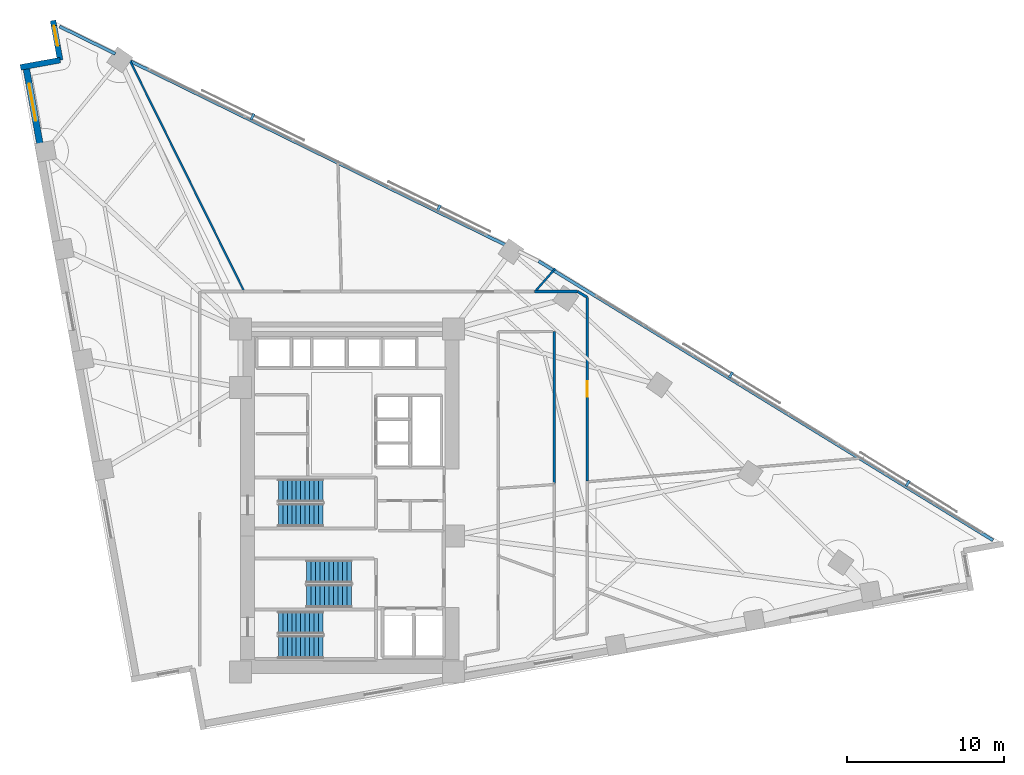
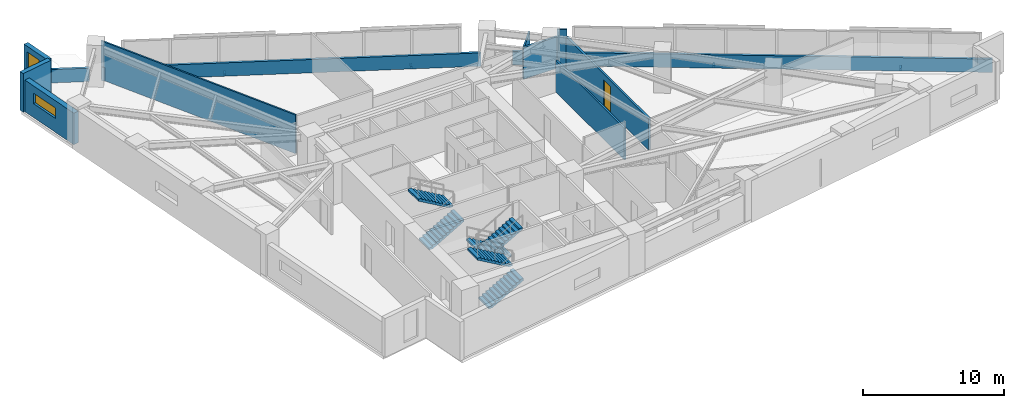
# One storey, part 16 of 18: 12 walls, 6 stair flights, 4 discrete accessories, 2 windows, 1 door, 3 openings, 3 elements without a shape of their own.
"""IFC4 building model written with IfcOpenShell, lengths in metres."""

from ifc_helpers import new_model, si_unit, direction, frame, frame_2d, origin, origin_2d, place, context, subcontext, project, spatial, polyline, rectangle, outline, extrude, material, layer, layer_set, type_object, element, fill, aggregate, save


model = new_model("IFC4")

# Units and contexts
model_context = context("Model", 3, precision=1e-05, world=origin(), true_north=direction((0.0, 1.0)))
body_context = subcontext(model_context, "Body", "Model", "MODEL_VIEW")
ifc_project = project(units=[si_unit("LENGTHUNIT", "METRE"), si_unit("AREAUNIT", "SQUARE_METRE"), si_unit("VOLUMEUNIT", "CUBIC_METRE"), si_unit("PLANEANGLEUNIT", "RADIAN"), si_unit("MASSUNIT", "GRAM", prefix="KILO")], contexts=[model_context])

# Site, building, storey
site_placement = place(None, origin())
site = spatial("IfcSite", under=ifc_project, at=site_placement, CompositionType="ELEMENT")
building_placement = place(site_placement, origin())
building = spatial("IfcBuilding", under=site, at=building_placement, Name="Narakoshi Arena Tower", CompositionType="ELEMENT")
storey_placement = place(building_placement, frame((0.0, 0.0, 120.89990234375)))
storey = spatial("IfcBuildingStorey", under=building, at=storey_placement, Name="L32", CompositionType="ELEMENT", Elevation=120.89990234375)

# Wall, opening, door
ifc_material_1 = material(Name="Gypsum plasterboard fire-rated partition")
ifc_layer_1 = layer(ifc_material_1, 0.1650390625)
ifc_layer_set_1 = layer_set([ifc_layer_1], Name="Gypsum plasterboard fire-rated partition")
wall_type_1 = type_object("IfcWallType", Name="WL-CORR-165", PredefinedType="PARTITIONING", material=ifc_layer_set_1)
wall_1_placement = place(storey_placement, frame((94.050048828125, 46.852294921875, 0.0), z_axis=(0.0, 0.0, 1.0), x_axis=(0.0, 1.0, 0.0)))
wall_1 = element("IfcWall", 1, at=wall_1_placement, inside=storey, type_object=wall_type_1, Name="L32 Corridor Partition 05-1", PredefinedType="PARTITIONING", context=body_context, shape_type="SweptSolid", body=[
    extrude(rectangle(XDim=11.67431640625, YDim=0.1650390625, at=frame_2d((5.837158203125, 0.0))), origin(), (0.0, 0.0, 1.0), 2.72509765625),
])
opening_1_placement = place(wall_1_placement, frame((5.3369140625, 0.0, 0.0)))
opening_1 = element("IfcOpeningElement", 2, at=opening_1_placement, cuts=wall_1, Name="Opening D-06", PredefinedType="OPENING", context=body_context, shape_type="SweptSolid", body=[
    extrude(rectangle(XDim=1.0, YDim=2.199951171875, at=frame_2d((0.5, 1.10009765625))), frame((0.0, 0.092529296875, 0.0), z_axis=(0.0, -1.0, 0.0), x_axis=(1.0, 0.0, 0.0)), (0.0, 0.0, 1.0), 0.18505859375),
])
ifc_material_2 = material(Name="Stained oak solid-core timber", Category="wood")
door_type = type_object("IfcDoorType", Name="DR-OFF-1000", OperationType="NOTDEFINED", PredefinedType="DOOR", material=ifc_material_2)
door_placement = place(opening_1_placement, frame((1.0, 0.0, 0.0), z_axis=(0.0, 0.0, 1.0), x_axis=(-1.0, 0.0, 0.0)))
door = element("IfcDoor", 3, at=door_placement, inside=storey, type_object=door_type, Name="DR-L32-019", OperationType="SINGLE_SWING_RIGHT", OverallHeight=2.199951171875, OverallWidth=1.0, PredefinedType="DOOR", context=body_context, shape_type="SweptSolid", body=[
    extrude(rectangle(XDim=1.0, YDim=2.199951171875, at=frame_2d((0.5, 1.10009765625))), frame((0.0, 0.02490234375, 0.0), z_axis=(0.0, -1.0, 0.0), x_axis=(1.0, 0.0, 0.0)), (0.0, 0.0, 1.0), 0.050048828125),
])
fill(opening_1, door)

# Walls
wall_2_placement = place(storey_placement, frame((93.44189453125, 58.89990234375, 0.0), z_axis=(0.0, 0.0, 1.0), x_axis=(-1.0, 0.0, 0.0)))
element("IfcWall", 4, at=wall_2_placement, inside=storey, type_object=wall_type_1, Name="L32 Corridor Partition 05-2", PredefinedType="PARTITIONING", context=body_context, shape_type="SweptSolid", body=[
    extrude(rectangle(XDim=2.755126953125, YDim=0.1650390625, at=frame_2d((1.37744140625, 0.0))), origin(), (0.0, 0.0, 1.0), 2.72509765625),
])
wall_3_placement = place(storey_placement, frame((94.050048828125, 58.526611328125, 0.0), z_axis=(0.0, 0.0, 1.0), x_axis=(-0.852256862618, 0.523123541928, 0.0)))
element("IfcWall", 5, at=wall_3_placement, inside=storey, type_object=wall_type_1, Name="L32 Corridor Partition 05-3", PredefinedType="PARTITIONING", context=body_context, shape_type="SweptSolid", body=[
    extrude(rectangle(XDim=0.713623046875, YDim=0.1650390625, at=frame_2d((0.35693359375, 0.0))), origin(), (0.0, 0.0, 1.0), 3.340087890625),
])
ifc_material_3 = material(Name="Precast concrete C45/55", Category="concrete")
ifc_layer_2 = layer(ifc_material_3, 0.25)
ifc_layer_set_2 = layer_set([ifc_layer_2], Name="Precast concrete C45/55")
wall_type_2 = type_object("IfcWallType", Name="WL-PARA-250", PredefinedType="PARAPET", material=ifc_layer_set_2)
wall_4_placement = place(storey_placement, frame((119.86474609375, 43.0703125, 0.0), z_axis=(0.0, 0.0, 1.0), x_axis=(-0.852110824326, 0.52336138859, 0.0)))
element("IfcWall", 6, at=wall_4_placement, inside=storey, type_object=wall_type_2, Name="L32 Hypotenuse Sill Upstand Parapet 1-01", PredefinedType="PARAPET", context=body_context, shape_type="SweptSolid", body=[
    extrude(rectangle(XDim=33.931640625, YDim=0.199951171875, at=frame_2d((16.9658203125, 0.0))), origin(), (0.0, 0.0, 1.0), 1.150146484375),
])
wall_5_placement = place(storey_placement, frame((88.9208984375, 61.82275390625, 0.0), z_axis=(0.0, 0.0, 1.0), x_axis=(-0.897993533426, 0.440008652103, 0.0)))
element("IfcWall", 7, at=wall_5_placement, inside=storey, type_object=wall_type_2, Name="L32 Hypotenuse Sill Upstand Parapet 2-02", PredefinedType="PARAPET", context=body_context, shape_type="SweptSolid", body=[
    extrude(rectangle(XDim=26.86376953125, YDim=0.199951171875, at=frame_2d((13.431884765625, 0.0))), origin(), (0.0, 0.0, 1.0), 1.150146484375),
])
wall_6_placement = place(storey_placement, frame((64.031982421875, 74.01806640625, 0.0), z_axis=(0.0, 0.0, 1.0), x_axis=(-0.89799103332, 0.440013754417, 0.0)))
element("IfcWall", 8, at=wall_6_placement, inside=storey, type_object=wall_type_2, Name="L32 Hypotenuse Sill Upstand Parapet 2-03", PredefinedType="PARAPET", context=body_context, shape_type="SweptSolid", body=[
    extrude(rectangle(XDim=3.954833984375, YDim=0.199951171875, at=frame_2d((1.9775390625, 0.0))), origin(), (0.0, 0.0, 1.0), 1.150146484375),
])
ifc_layer_3 = layer(ifc_material_1, 0.125)
ifc_layer_set_3 = layer_set([ifc_layer_3], Name="Gypsum plasterboard fire-rated partition")
wall_type_3 = type_object("IfcWallType", Name="WL-PART-125", PredefinedType="PARTITIONING", material=ifc_layer_set_3)
wall_7_placement = place(storey_placement, frame((90.818115234375, 58.994384765625, 0.0), z_axis=(0.0, 0.0, 1.0), x_axis=(0.6599952554, 0.751269767027, 0.0)))
element("IfcWall", 9, at=wall_7_placement, inside=storey, type_object=wall_type_3, Name="L32 Inter-Room Partition 05-07", PredefinedType="PARTITIONING", context=body_context, shape_type="SweptSolid", body=[
    extrude(rectangle(XDim=1.81884765625, YDim=0.125, at=frame_2d((0.909423828125, 0.0))), origin(), (0.0, 0.0, 1.0), 2.72509765625),
])
wall_8_placement = place(storey_placement, frame((72.19677734375, 58.966796875, 0.0), z_axis=(0.0, 0.0, 1.0), x_axis=(-0.443596581614, 0.896226574467, 0.0)))
element("IfcWall", 10, at=wall_8_placement, inside=storey, type_object=wall_type_3, Name="L32 Inter-Room Partition 08-09", PredefinedType="PARTITIONING", context=body_context, shape_type="SweptSolid", body=[
    extrude(rectangle(XDim=16.5400390625, YDim=0.125, at=frame_2d((8.27001953125, 0.0))), origin(), (0.0, 0.0, 1.0), 3.340087890625),
])

# Wall, opening, window
ifc_layer_4 = layer(ifc_material_3, 0.419921875)
ifc_layer_set_4 = layer_set([ifc_layer_4], Name="Precast concrete C45/55")
wall_type_4 = type_object("IfcWallType", Name="WL-POD-420", PredefinedType="SOLIDWALL", material=ifc_layer_set_4)
wall_9_placement = place(storey_placement, frame((58.341796875, 73.2197265625, 0.0), z_axis=(0.0, 0.0, 1.0), x_axis=(0.177981837245, -0.984033772597, 0.0)))
wall_9 = element("IfcWall", 11, at=wall_9_placement, inside=storey, type_object=wall_type_4, Name="L32 Architectural Concrete Facade Wall LEGB-1", PredefinedType="SOLIDWALL", context=body_context, shape_type="SweptSolid", body=[
    extrude(rectangle(XDim=5.540283203125, YDim=0.419921875, at=frame_2d((2.77001953125, 0.0))), origin(), (0.0, 0.0, 1.0), 2.72509765625),
])
opening_2_placement = place(wall_9_placement, frame((1.11767578125, 0.0, 1.199951171875)))
opening_2 = element("IfcOpeningElement", 12, at=opening_2_placement, cuts=wall_9, Name="Opening WN-01", PredefinedType="OPENING", context=body_context, shape_type="SweptSolid", body=[
    extrude(rectangle(XDim=2.39990234375, YDim=0.89990234375, at=frame_2d((1.199951171875, 0.449951171875))), frame((0.0, 0.219970703125, 0.0), z_axis=(0.0, -1.0, 0.0), x_axis=(1.0, 0.0, 0.0)), (0.0, 0.0, 1.0), 0.43994140625),
])
ifc_material_4 = material(Name="Bronze-tinted low-E laminated glass", Category="glass")
window_type_1 = type_object("IfcWindowType", Name="WIN-SLT-24x09", PartitioningType="SINGLE_PANEL", PredefinedType="WINDOW", material=ifc_material_4)
window_1_placement = place(opening_2_placement, origin())
window_1 = element("IfcWindow", 13, at=window_1_placement, inside=storey, type_object=window_type_1, Name="L32 LEGB1 Horizontal Slot Window 1", OverallHeight=0.89990234375, OverallWidth=2.39990234375, PartitioningType="SINGLE_PANEL", PredefinedType="WINDOW", context=body_context, shape_type="SweptSolid", body=[
    extrude(rectangle(XDim=2.39990234375, YDim=0.89990234375, at=frame_2d((1.199951171875, 0.449951171875))), frame((0.0, 0.030029296875, 0.0), z_axis=(0.0, -1.0, 0.0), x_axis=(1.0, 0.0, 0.0)), (0.0, 0.0, 1.0), 0.06005859375),
])
fill(opening_2, window_1)

wall_10_placement = place(storey_placement, frame((60.066162109375, 76.139404296875, 0.0), z_axis=(0.0, 0.0, 1.0), x_axis=(0.177897493713, -0.984049024048, 0.0)))
wall_10 = element("IfcWall", 14, at=wall_10_placement, inside=storey, type_object=wall_type_4, Name="L32 Re-Entrant Corner Notch Wall NTN-1", PredefinedType="SOLIDWALL", context=body_context, shape_type="SweptSolid", body=[
    extrude(rectangle(XDim=2.56640625, YDim=0.360107421875, at=frame_2d((1.283203125, 0.0))), origin(), (0.0, 0.0, 1.0), 3.340087890625),
])
opening_3_placement = place(wall_10_placement, frame((0.340087890625, 0.0, 0.449951171875)))
opening_3 = element("IfcOpeningElement", 15, at=opening_3_placement, cuts=wall_10, Name="Opening WN-06", PredefinedType="OPENING", context=body_context, shape_type="SweptSolid", body=[
    extrude(rectangle(XDim=1.300048828125, YDim=2.39990234375, at=frame_2d((0.64990234375, 1.199951171875))), frame((0.0, 0.18994140625, 0.0), z_axis=(0.0, -1.0, 0.0), x_axis=(1.0, 0.0, 0.0)), (0.0, 0.0, 1.0), 0.380126953125),
])
window_type_2 = type_object("IfcWindowType", Name="WIN-NTC-16x24", PartitioningType="SINGLE_PANEL", PredefinedType="WINDOW", material=ifc_material_4)
window_2_placement = place(opening_3_placement, origin())
window_2 = element("IfcWindow", 16, at=window_2_placement, inside=storey, type_object=window_type_2, Name="L32 Corner Notch Window NTN", OverallHeight=2.39990234375, OverallWidth=1.300048828125, PartitioningType="SINGLE_PANEL", PredefinedType="WINDOW", context=body_context, shape_type="SweptSolid", body=[
    extrude(rectangle(XDim=1.300048828125, YDim=2.39990234375, at=frame_2d((0.64990234375, 1.199951171875))), frame((0.0, 0.030029296875, 0.0), z_axis=(0.0, -1.0, 0.0), x_axis=(1.0, 0.0, 0.0)), (0.0, 0.0, 1.0), 0.06005859375),
])
fill(opening_3, window_2)

# Walls
wall_11_placement = place(storey_placement, frame((60.522705078125, 73.614013671875, 0.0), z_axis=(0.0, 0.0, 1.0), x_axis=(-0.984046012923, -0.177914149102, 0.0)))
element("IfcWall", 17, at=wall_11_placement, inside=storey, type_object=wall_type_4, Name="L32 Re-Entrant Corner Notch Wall NTN-2", PredefinedType="SOLIDWALL", context=body_context, shape_type="SweptSolid", body=[
    extrude(rectangle(XDim=2.566162109375, YDim=0.360107421875, at=frame_2d((1.283203125, 0.0))), origin(), (0.0, 0.0, 1.0), 3.340087890625),
])
ifc_material_5 = material(Name="Moisture-resistant cement-board partition")
ifc_layer_5 = layer(ifc_material_5, 0.14501953125)
ifc_layer_set_5 = layer_set([ifc_layer_5], Name="Moisture-resistant cement-board partition")
wall_type_5 = type_object("IfcWallType", Name="WL-WET-145", PredefinedType="PARTITIONING", material=ifc_layer_set_5)
wall_12_placement = place(storey_placement, frame((91.949951171875, 56.35009765625, 0.0), z_axis=(0.0, 0.0, 1.0), x_axis=(0.0, -1.0, 0.0)))
element("IfcWall", 18, at=wall_12_placement, inside=storey, type_object=wall_type_5, Name="L32 Corridor Partition 06-2", PredefinedType="PARTITIONING", context=body_context, shape_type="SweptSolid", body=[
    extrude(rectangle(XDim=9.66845703125, YDim=0.14501953125, at=frame_2d((4.834228515625, 0.0))), origin(), (0.0, 0.0, 1.0), 2.72509765625),
])

# Stair, stair flights
ifc_material_6 = material(Name="Concrete C45/55", Category="concrete")
stair_type = type_object("IfcStairType", Name="STR-CORE-360", PredefinedType="TWO_STRAIGHT_RUN_STAIR", material=ifc_material_6)
stair_1_placement = place(storey_placement, origin())
stair_1 = element("IfcStair", 19, at=stair_1_placement, inside=storey, type_object=stair_type, Name="L32 Core Escape Stair ST1", PredefinedType="TWO_STRAIGHT_RUN_STAIR")
stair_flight_type = type_object("IfcStairFlightType", Name="FLT-145-160", PredefinedType="STRAIGHT", material=ifc_material_3)
stair_flight_1_placement = place(storey_placement, frame((74.39990234375, 36.27490234375, 0.0), z_axis=(0.0, 0.0, 1.0), x_axis=(1.0, 0.0, 0.0)))
stair_flight_1 = element("IfcStairFlight", 20, at=stair_flight_1_placement, type_object=stair_flight_type, Name="ST1 flight 1", NumberOfRisers=11, NumberOfTreads=10, PredefinedType="STRAIGHT", RiserHeight=0.163636364, TreadLength=0.285, context=body_context, shape_type="SweptSolid", body=[
    extrude(outline(polyline([(0.0, 0.0), (0.0, 0.16357421875), (0.284912109375, 0.16357421875), (0.284912109375, 0.327392578125), (0.570068359375, 0.327392578125), (0.570068359375, 0.490966796875), (0.85498046875, 0.490966796875), (0.85498046875, 0.654541015625), (1.139892578125, 0.654541015625), (1.139892578125, 0.818115234375), (1.425048828125, 0.818115234375), (1.425048828125, 0.98193359375), (1.7099609375, 0.98193359375), (1.7099609375, 1.1455078125), (1.9951171875, 1.1455078125), (1.9951171875, 1.30908203125), (2.280029296875, 1.30908203125), (2.280029296875, 1.47265625), (2.56494140625, 1.47265625), (2.56494140625, 1.636474609375), (2.85009765625, 1.636474609375), (2.85009765625, 1.800048828125), (2.85009765625, 1.463623046875), (0.301025390625, 0.0), (0.0, 0.0)])), frame((0.0, 0.72509765625, 0.0), z_axis=(0.0, -1.0, 0.0), x_axis=(1.0, 0.0, 0.0)), (0.0, 0.0, 1.0), 1.449951171875),
])
stair_flight_2_placement = place(storey_placement, frame((77.25, 37.824951171875, 1.800048828125), z_axis=(0.0, 0.0, 1.0), x_axis=(-1.0, 0.0, 0.0)))
stair_flight_2 = element("IfcStairFlight", 21, at=stair_flight_2_placement, type_object=stair_flight_type, Name="ST1 flight 2", NumberOfRisers=11, NumberOfTreads=10, PredefinedType="STRAIGHT", RiserHeight=0.163636364, TreadLength=0.285, context=body_context, shape_type="SweptSolid", body=[
    extrude(outline(polyline([(0.0, 0.0), (0.0, 0.16357421875), (0.284912109375, 0.16357421875), (0.284912109375, 0.327392578125), (0.570068359375, 0.327392578125), (0.570068359375, 0.490966796875), (0.85498046875, 0.490966796875), (0.85498046875, 0.654541015625), (1.139892578125, 0.654541015625), (1.139892578125, 0.818115234375), (1.425048828125, 0.818115234375), (1.425048828125, 0.98193359375), (1.7099609375, 0.98193359375), (1.7099609375, 1.1455078125), (1.9951171875, 1.1455078125), (1.9951171875, 1.30908203125), (2.280029296875, 1.30908203125), (2.280029296875, 1.47265625), (2.56494140625, 1.47265625), (2.56494140625, 1.636474609375), (2.85009765625, 1.636474609375), (2.85009765625, 1.800048828125), (2.85009765625, 1.463623046875), (0.301025390625, 0.0), (0.0, 0.0)])), frame((0.0, 0.72509765625, 0.0), z_axis=(0.0, -1.0, 0.0), x_axis=(1.0, 0.0, 0.0)), (0.0, 0.0, 1.0), 1.449951171875),
])
aggregate(stair_1, [stair_flight_1, stair_flight_2])

stair_2_placement = place(storey_placement, origin())
stair_2 = element("IfcStair", 22, at=stair_2_placement, inside=storey, type_object=stair_type, Name="L32 Core Escape Stair ST2", PredefinedType="TWO_STRAIGHT_RUN_STAIR")
stair_flight_3_placement = place(storey_placement, frame((79.050048828125, 41.074951171875, 0.0), z_axis=(0.0, 0.0, 1.0), x_axis=(-1.0, 0.0, 0.0)))
stair_flight_3 = element("IfcStairFlight", 23, at=stair_flight_3_placement, type_object=stair_flight_type, Name="ST2 flight 1", NumberOfRisers=11, NumberOfTreads=10, PredefinedType="STRAIGHT", RiserHeight=0.163636364, TreadLength=0.285, context=body_context, shape_type="SweptSolid", body=[
    extrude(outline(polyline([(0.0, 0.0), (0.0, 0.16357421875), (0.284912109375, 0.16357421875), (0.284912109375, 0.327392578125), (0.570068359375, 0.327392578125), (0.570068359375, 0.490966796875), (0.85498046875, 0.490966796875), (0.85498046875, 0.654541015625), (1.139892578125, 0.654541015625), (1.139892578125, 0.818115234375), (1.425048828125, 0.818115234375), (1.425048828125, 0.98193359375), (1.7099609375, 0.98193359375), (1.7099609375, 1.1455078125), (1.9951171875, 1.1455078125), (1.9951171875, 1.30908203125), (2.280029296875, 1.30908203125), (2.280029296875, 1.47265625), (2.56494140625, 1.47265625), (2.56494140625, 1.636474609375), (2.85009765625, 1.636474609375), (2.85009765625, 1.800048828125), (2.85009765625, 1.463623046875), (0.301025390625, 0.0), (0.0, 0.0)])), frame((0.0, 0.72509765625, 0.0), z_axis=(0.0, -1.0, 0.0), x_axis=(1.0, 0.0, 0.0)), (0.0, 0.0, 1.0), 1.449951171875),
])
stair_flight_4_placement = place(storey_placement, frame((76.199951171875, 39.52490234375, 1.800048828125), z_axis=(0.0, 0.0, 1.0), x_axis=(1.0, 0.0, 0.0)))
stair_flight_4 = element("IfcStairFlight", 24, at=stair_flight_4_placement, type_object=stair_flight_type, Name="ST2 flight 2", NumberOfRisers=11, NumberOfTreads=10, PredefinedType="STRAIGHT", RiserHeight=0.163636364, TreadLength=0.285, context=body_context, shape_type="SweptSolid", body=[
    extrude(outline(polyline([(0.0, 0.0), (0.0, 0.16357421875), (0.284912109375, 0.16357421875), (0.284912109375, 0.327392578125), (0.570068359375, 0.327392578125), (0.570068359375, 0.490966796875), (0.85498046875, 0.490966796875), (0.85498046875, 0.654541015625), (1.139892578125, 0.654541015625), (1.139892578125, 0.818115234375), (1.425048828125, 0.818115234375), (1.425048828125, 0.98193359375), (1.7099609375, 0.98193359375), (1.7099609375, 1.1455078125), (1.9951171875, 1.1455078125), (1.9951171875, 1.30908203125), (2.280029296875, 1.30908203125), (2.280029296875, 1.47265625), (2.56494140625, 1.47265625), (2.56494140625, 1.636474609375), (2.85009765625, 1.636474609375), (2.85009765625, 1.800048828125), (2.85009765625, 1.463623046875), (0.301025390625, 0.0), (0.0, 0.0)])), frame((0.0, 0.72509765625, 0.0), z_axis=(0.0, -1.0, 0.0), x_axis=(1.0, 0.0, 0.0)), (0.0, 0.0, 1.0), 1.449951171875),
])
aggregate(stair_2, [stair_flight_3, stair_flight_4])

stair_3_placement = place(storey_placement, origin())
stair_3 = element("IfcStair", 25, at=stair_3_placement, inside=storey, type_object=stair_type, Name="L32 Core Escape Stair ST3", PredefinedType="TWO_STRAIGHT_RUN_STAIR")
stair_flight_5_placement = place(storey_placement, frame((74.39990234375, 44.675048828125, 0.0), z_axis=(0.0, 0.0, 1.0), x_axis=(1.0, 0.0, 0.0)))
stair_flight_5 = element("IfcStairFlight", 26, at=stair_flight_5_placement, type_object=stair_flight_type, Name="ST3 flight 1", NumberOfRisers=11, NumberOfTreads=10, PredefinedType="STRAIGHT", RiserHeight=0.163636364, TreadLength=0.285, context=body_context, shape_type="SweptSolid", body=[
    extrude(outline(polyline([(0.0, 0.0), (0.0, 0.16357421875), (0.284912109375, 0.16357421875), (0.284912109375, 0.327392578125), (0.570068359375, 0.327392578125), (0.570068359375, 0.490966796875), (0.85498046875, 0.490966796875), (0.85498046875, 0.654541015625), (1.139892578125, 0.654541015625), (1.139892578125, 0.818115234375), (1.425048828125, 0.818115234375), (1.425048828125, 0.98193359375), (1.7099609375, 0.98193359375), (1.7099609375, 1.1455078125), (1.9951171875, 1.1455078125), (1.9951171875, 1.30908203125), (2.280029296875, 1.30908203125), (2.280029296875, 1.47265625), (2.56494140625, 1.47265625), (2.56494140625, 1.636474609375), (2.85009765625, 1.636474609375), (2.85009765625, 1.800048828125), (2.85009765625, 1.463623046875), (0.301025390625, 0.0), (0.0, 0.0)])), frame((0.0, 0.72509765625, 0.0), z_axis=(0.0, -1.0, 0.0), x_axis=(1.0, 0.0, 0.0)), (0.0, 0.0, 1.0), 1.449951171875),
])
stair_flight_6_placement = place(storey_placement, frame((77.25, 46.22509765625, 1.800048828125), z_axis=(0.0, 0.0, 1.0), x_axis=(-1.0, 0.0, 0.0)))
stair_flight_6 = element("IfcStairFlight", 27, at=stair_flight_6_placement, type_object=stair_flight_type, Name="ST3 flight 2", NumberOfRisers=11, NumberOfTreads=10, PredefinedType="STRAIGHT", RiserHeight=0.163636364, TreadLength=0.285, context=body_context, shape_type="SweptSolid", body=[
    extrude(outline(polyline([(0.0, 0.0), (0.0, 0.16357421875), (0.284912109375, 0.16357421875), (0.284912109375, 0.327392578125), (0.570068359375, 0.327392578125), (0.570068359375, 0.490966796875), (0.85498046875, 0.490966796875), (0.85498046875, 0.654541015625), (1.139892578125, 0.654541015625), (1.139892578125, 0.818115234375), (1.425048828125, 0.818115234375), (1.425048828125, 0.98193359375), (1.7099609375, 0.98193359375), (1.7099609375, 1.1455078125), (1.9951171875, 1.1455078125), (1.9951171875, 1.30908203125), (2.280029296875, 1.30908203125), (2.280029296875, 1.47265625), (2.56494140625, 1.47265625), (2.56494140625, 1.636474609375), (2.85009765625, 1.636474609375), (2.85009765625, 1.800048828125), (2.85009765625, 1.463623046875), (0.301025390625, 0.0), (0.0, 0.0)])), frame((0.0, 0.72509765625, 0.0), z_axis=(0.0, -1.0, 0.0), x_axis=(1.0, 0.0, 0.0)), (0.0, 0.0, 1.0), 1.449951171875),
])
aggregate(stair_3, [stair_flight_5, stair_flight_6])

# Discrete accessories
ifc_material_7 = material(Name="Structural steel S355J2", Category="steel")
discrete_accessory_type = type_object("IfcDiscreteAccessoryType", Name="ACC-BRK-SCR", PredefinedType="BRACKET", material=ifc_material_7)
for number, where, z_axis, x_axis, name in (
    (28, (114.442138671875, 46.6826171875, -0.080078125), (0.0, 0.0, 1.0), (-0.852110807003, 0.523361416794, 0.0), "L32 Solar Screen Support Bracket SHD-L32-SCR1-1"),
    (29, (103.1943359375, 53.5908203125, -0.080078125), (0.0, 0.0, 1.0), (-0.852110807003, 0.523361416794, 0.0), "L32 Solar Screen Support Bracket SHD-L32-SCR1-2"),
    (30, (84.6044921875, 64.205078125, -0.080078125), (0.0, 0.0, 1.0), (-0.897996860024, 0.440001862936, 0.0), "L32 Solar Screen Support Bracket SHD-L32-SCR2-1"),
    (31, (72.7509765625, 70.01318359375, -0.080078125), (0.0, 0.0, 1.0), (-0.897996860024, 0.440001862936, 0.0), "L32 Solar Screen Support Bracket SHD-L32-SCR2-2"),
):
    element("IfcDiscreteAccessory", number, at=place(storey_placement, frame(where, z_axis=z_axis, x_axis=x_axis)), inside=storey, type_object=discrete_accessory_type, Name=name, PredefinedType="BRACKET", context=body_context, shape_type="SweptSolid", body=[
        extrude(rectangle(XDim=0.159912109375, YDim=0.425048828125, at=origin_2d()), origin(), (0.0, 0.0, 1.0), 0.199951171875),
    ])

save(model, "model.ifc")
